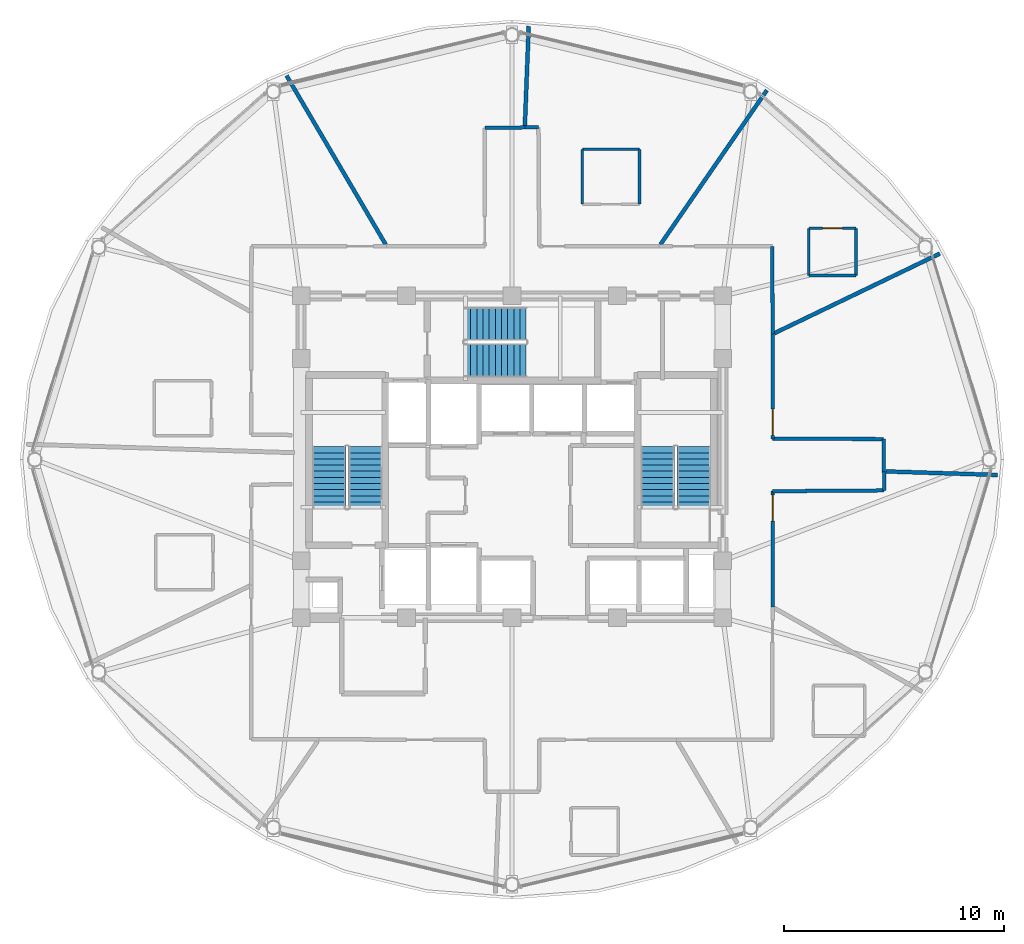
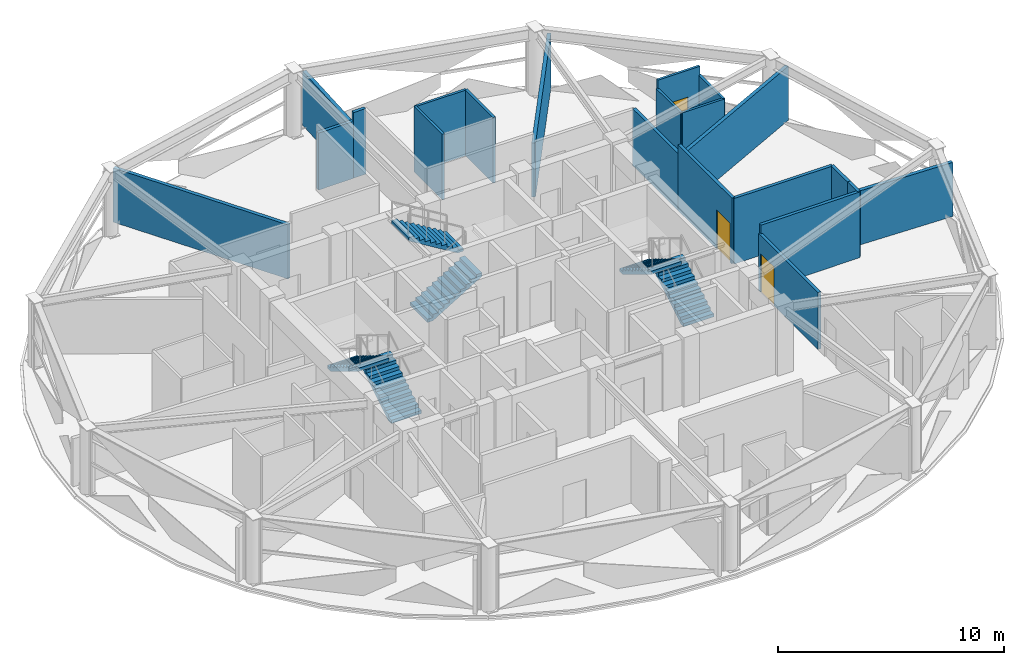
# One storey, part 24 of 28: 21 walls, 6 stair flights, 3 doors, 3 openings, 3 elements without a shape of their own.
"""IFC4 building model written with IfcOpenShell, lengths in metres."""

from ifc_helpers import new_model, si_unit, direction, frame, frame_2d, origin, place, context, subcontext, project, spatial, polyline, rectangle, outline, extrude, material, layer, layer_set, type_object, element, fill, aggregate, save


model = new_model("IFC4")

# Units and contexts
model_context = context("Model", 3, precision=1e-05, world=origin(), true_north=direction((0.0, 1.0)))
body_context = subcontext(model_context, "Body", "Model", "MODEL_VIEW")
ifc_project = project(units=[si_unit("LENGTHUNIT", "METRE"), si_unit("AREAUNIT", "SQUARE_METRE"), si_unit("VOLUMEUNIT", "CUBIC_METRE"), si_unit("PLANEANGLEUNIT", "RADIAN"), si_unit("MASSUNIT", "GRAM", prefix="KILO")], contexts=[model_context])

# Site, building, storey
site_placement = place(None, origin())
site = spatial("IfcSite", under=ifc_project, at=site_placement, CompositionType="ELEMENT")
building_placement = place(site_placement, origin())
building = spatial("IfcBuilding", under=site, at=building_placement, Name="Vantalir Tower", CompositionType="ELEMENT")
storey_placement = place(building_placement, frame((0.0, 0.0, 238.64990234375)))
storey = spatial("IfcBuildingStorey", under=building, at=storey_placement, Name="L60", CompositionType="ELEMENT", Elevation=238.64990234375)

# Wall
ifc_material_1 = material(Name="Moisture-resistant en-suite partition", Category="gypsum")
ifc_layer_1 = layer(ifc_material_1, 0.125)
ifc_layer_set_1 = layer_set([ifc_layer_1], Name="Moisture-resistant en-suite partition")
wall_type_1 = type_object("IfcWallType", Name="WL-BATH-125", PredefinedType="PARTITIONING", material=ifc_layer_set_1)
wall_1_placement = place(storey_placement, frame((45.010009765625, 33.376953125, 0.0), z_axis=(0.0, 0.0, 1.0), x_axis=(1.0, 0.0, 0.0)))
element("IfcWall", 1, at=wall_1_placement, inside=storey, type_object=wall_type_1, Name="L60 En-suite 01 South Wall", PredefinedType="PARTITIONING", context=body_context, shape_type="SweptSolid", body=[
    extrude(rectangle(XDim=2.14990234375, YDim=0.125, at=frame_2d((1.074951171875, 0.0))), origin(), (0.0, 0.0, 1.0), 3.0810546875),
])

# Wall, opening, door
wall_2_placement = place(storey_placement, frame((45.010009765625, 35.527099609375, 0.0), z_axis=(0.0, 0.0, 1.0), x_axis=(1.0, 0.0, 0.0)))
wall_2 = element("IfcWall", 2, at=wall_2_placement, inside=storey, type_object=wall_type_1, Name="L60 En-suite 01 North Wall", PredefinedType="PARTITIONING", context=body_context, shape_type="SweptSolid", body=[
    extrude(rectangle(XDim=2.14990234375, YDim=0.125, at=frame_2d((1.074951171875, 0.0))), origin(), (0.0, 0.0, 1.0), 3.550048828125),
])
opening_1_placement = place(wall_2_placement, frame((0.625, 0.0, 0.0)))
opening_1 = element("IfcOpeningElement", 3, at=opening_1_placement, cuts=wall_2, Name="Opening D-WC", PredefinedType="OPENING", context=body_context, shape_type="SweptSolid", body=[
    extrude(rectangle(XDim=0.89990234375, YDim=2.10009765625, at=frame_2d((0.449951171875, 1.050048828125))), frame((0.0, 0.072509765625, 0.0), z_axis=(0.0, -1.0, 0.0), x_axis=(1.0, 0.0, 0.0)), (0.0, 0.0, 1.0), 0.14501953125),
])
ifc_material_2 = material(Name="Moisture-resistant hardwood door", Category="wood")
door_type_1 = type_object("IfcDoorType", Name="DR-ENSUITE-900", OperationType="NOTDEFINED", PredefinedType="DOOR", material=ifc_material_2)
door_1_placement = place(opening_1_placement, frame((0.89990234375, 0.0, 0.0), z_axis=(0.0, 0.0, 1.0), x_axis=(-1.0, 0.0, 0.0)))
door_1 = element("IfcDoor", 4, at=door_1_placement, inside=storey, type_object=door_type_1, Name="L60 En-suite 01 Door", OperationType="SINGLE_SWING_RIGHT", OverallHeight=2.10009765625, OverallWidth=0.89990234375, PredefinedType="DOOR", context=body_context, shape_type="SweptSolid", body=[
    extrude(rectangle(XDim=0.89990234375, YDim=2.10009765625, at=frame_2d((0.449951171875, 1.050048828125))), frame((0.0, 0.02490234375, 0.0), z_axis=(0.0, -1.0, 0.0), x_axis=(1.0, 0.0, 0.0)), (0.0, 0.0, 1.0), 0.050048828125),
])
fill(opening_1, door_1)

# Walls
for number, where, z_axis, x_axis, name in (
    (5, (45.010009765625, 33.376953125, 0.0), (0.0, 0.0, 1.0), (0.0, 1.0, 0.0), "L60 En-suite 01 West Wall"),
    (6, (47.159912109375, 33.376953125, 0.0), (0.0, 0.0, 1.0), (0.0, 1.0, 0.0), "L60 En-suite 01 East Wall"),
):
    element("IfcWall", number, at=place(storey_placement, frame(where, z_axis=z_axis, x_axis=x_axis)), inside=storey, type_object=wall_type_1, Name=name, PredefinedType="PARTITIONING", context=body_context, shape_type="SweptSolid", body=[
        extrude(rectangle(XDim=2.150146484375, YDim=0.125, at=frame_2d((1.0751953125, 0.0))), origin(), (0.0, 0.0, 1.0), 3.0810546875),
    ])
wall_3_placement = place(storey_placement, frame((34.701904296875, 39.123046875, 0.0), z_axis=(0.0, 0.0, 1.0), x_axis=(1.0, 0.0, 0.0)))
element("IfcWall", 7, at=wall_3_placement, inside=storey, type_object=wall_type_1, Name="L60 En-suite 02 North Wall", PredefinedType="PARTITIONING", context=body_context, shape_type="SweptSolid", body=[
    extrude(rectangle(XDim=2.60009765625, YDim=0.125, at=frame_2d((1.300048828125, 0.0))), origin(), (0.0, 0.0, 1.0), 3.550048828125),
])
for number, where, z_axis, x_axis, name in (
    (8, (34.701904296875, 36.623046875, 0.0), (0.0, 0.0, 1.0), (0.0, 1.0, 0.0), "L60 En-suite 02 West Wall"),
    (9, (37.302001953125, 36.623046875, 0.0), (0.0, 0.0, 1.0), (0.0, 1.0, 0.0), "L60 En-suite 02 East Wall"),
):
    element("IfcWall", number, at=place(storey_placement, frame(where, z_axis=z_axis, x_axis=x_axis)), inside=storey, type_object=wall_type_1, Name=name, PredefinedType="PARTITIONING", context=body_context, shape_type="SweptSolid", body=[
        extrude(rectangle(XDim=2.5, YDim=0.125, at=frame_2d((1.25, 0.0))), origin(), (0.0, 0.0, 1.0), 3.550048828125),
    ])
ifc_material_3 = material(Name="Fire-rated hotel corridor acoustic partition", Category="gypsum")
ifc_layer_2 = layer(ifc_material_3, 0.159912109375)
ifc_layer_set_2 = layer_set([ifc_layer_2], Name="Fire-rated hotel corridor acoustic partition")
wall_type_2 = type_object("IfcWallType", Name="WL-CORR-160", PredefinedType="PARTITIONING", material=ifc_layer_set_2)
wall_4_placement = place(storey_placement, frame((30.262939453125, 40.097900390625, 0.0), z_axis=(0.0, 0.0, 1.0), x_axis=(0.999945269646, 0.010462204028, 0.0)))
element("IfcWall", 10, at=wall_4_placement, inside=storey, type_object=wall_type_2, Name="L60 Corridor Partition 07", PredefinedType="PARTITIONING", context=body_context, shape_type="SweptSolid", body=[
    extrude(rectangle(XDim=1.820068359375, YDim=0.159912109375, at=frame_2d((0.91015625, 0.0))), origin(), (0.0, 0.0, 1.0), 3.0810546875),
])
wall_5_placement = place(storey_placement, frame((32.0830078125, 40.116943359375, 0.0), z_axis=(0.0, 0.0, 1.0), x_axis=(0.9999517181, 0.009826569557, 0.0)))
element("IfcWall", 11, at=wall_5_placement, inside=storey, type_object=wall_type_2, Name="L60 Corridor Partition 08", PredefinedType="PARTITIONING", context=body_context, shape_type="SweptSolid", body=[
    extrude(rectangle(XDim=0.62109375, YDim=0.159912109375, at=frame_2d((0.310546875, 0.0))), origin(), (0.0, 0.0, 1.0), 3.550048828125),
])
wall_6_placement = place(storey_placement, frame((43.35302734375, 34.702880859375, 0.0), z_axis=(0.0, 0.0, 1.0), x_axis=(0.00146743957, -0.99999892331, 0.0)))
element("IfcWall", 12, at=wall_6_placement, inside=storey, type_object=wall_type_2, Name="L60 Corridor Partition 12", PredefinedType="PARTITIONING", context=body_context, shape_type="SweptSolid", body=[
    extrude(rectangle(XDim=3.992919921875, YDim=0.159912109375, at=frame_2d((1.99658203125, 0.0))), origin(), (0.0, 0.0, 1.0), 3.0810546875),
])

# Wall, opening, door
wall_7_placement = place(storey_placement, frame((43.35888671875, 30.7099609375, 0.0), z_axis=(0.0, 0.0, 1.0), x_axis=(0.001279556737, -0.999999181367, 0.0)))
wall_7 = element("IfcWall", 13, at=wall_7_placement, inside=storey, type_object=wall_type_2, Name="L60 Corridor Partition 13", PredefinedType="PARTITIONING", context=body_context, shape_type="SweptSolid", body=[
    extrude(rectangle(XDim=4.77001953125, YDim=0.159912109375, at=frame_2d((2.385009765625, 0.0))), origin(), (0.0, 0.0, 1.0), 3.550048828125),
])
opening_2_placement = place(wall_7_placement, frame((3.409912109375, 0.0, 0.0)))
opening_2 = element("IfcOpeningElement", 14, at=opening_2_placement, cuts=wall_7, Name="Opening D-STE", PredefinedType="OPENING", context=body_context, shape_type="SweptSolid", body=[
    extrude(rectangle(XDim=1.199951171875, YDim=2.10009765625, at=frame_2d((0.60009765625, 1.050048828125))), frame((0.0, 0.08984375, 0.0), z_axis=(0.0, -1.0, 0.0), x_axis=(1.0, 0.0, 0.0)), (0.0, 0.0, 1.0), 0.179931640625),
])
ifc_material_4 = material(Name="Solid-core teak veneer suite entrance door", Category="wood")
door_type_2 = type_object("IfcDoorType", Name="DR-SUITE-ENTRY-1200", OperationType="NOTDEFINED", PredefinedType="DOOR", material=ifc_material_4)
door_2_placement = place(opening_2_placement, origin())
door_2 = element("IfcDoor", 15, at=door_2_placement, inside=storey, type_object=door_type_2, Name="L60 Executive Sky Boardroom 12 Door", OperationType="SINGLE_SWING_RIGHT", OverallHeight=2.10009765625, OverallWidth=1.199951171875, PredefinedType="DOOR", context=body_context, shape_type="SweptSolid", body=[
    extrude(rectangle(XDim=1.199951171875, YDim=2.10009765625, at=frame_2d((0.60009765625, 1.050048828125))), frame((0.0, 0.02490234375, 0.0), z_axis=(0.0, -1.0, 0.0), x_axis=(1.0, 0.0, 0.0)), (0.0, 0.0, 1.0), 0.050048828125),
])
fill(opening_2, door_2)

# Walls
wall_8_placement = place(storey_placement, frame((43.364990234375, 25.93994140625, 0.0), z_axis=(0.0, 0.0, 1.0), x_axis=(0.999999831724, -0.000580130432, 0.0)))
element("IfcWall", 16, at=wall_8_placement, inside=storey, type_object=wall_type_2, Name="L60 Corridor Partition 14", PredefinedType="PARTITIONING", context=body_context, shape_type="SweptSolid", body=[
    extrude(rectangle(XDim=5.050048828125, YDim=0.159912109375, at=frame_2d((2.52490234375, 0.0))), origin(), (0.0, 0.0, 1.0), 3.550048828125),
])
wall_9_placement = place(storey_placement, frame((48.4150390625, 25.93701171875, 0.0), z_axis=(0.0, 0.0, 1.0), x_axis=(0.010773450639, -0.999941964697, 0.0)))
element("IfcWall", 17, at=wall_9_placement, inside=storey, type_object=wall_type_2, Name="L60 Corridor Partition 15", PredefinedType="PARTITIONING", context=body_context, shape_type="SweptSolid", body=[
    extrude(rectangle(XDim=1.472900390625, YDim=0.159912109375, at=frame_2d((0.736328125, 0.0))), origin(), (0.0, 0.0, 1.0), 3.550048828125),
])
wall_10_placement = place(storey_placement, frame((48.430908203125, 24.464111328125, 0.0), z_axis=(0.0, 0.0, 1.0), x_axis=(0.010404386192, -0.999945872909, 0.0)))
element("IfcWall", 18, at=wall_10_placement, inside=storey, type_object=wall_type_2, Name="L60 Corridor Partition 16", PredefinedType="PARTITIONING", context=body_context, shape_type="SweptSolid", body=[
    extrude(rectangle(XDim=0.8681640625, YDim=0.159912109375, at=frame_2d((0.43408203125, 0.0))), origin(), (0.0, 0.0, 1.0), 3.550048828125),
])
wall_11_placement = place(storey_placement, frame((48.43994140625, 23.595947265625, 0.0), z_axis=(0.0, 0.0, 1.0), x_axis=(-0.999974996273, -0.007071550702, 0.0)))
element("IfcWall", 19, at=wall_11_placement, inside=storey, type_object=wall_type_2, Name="L60 Corridor Partition 17", PredefinedType="PARTITIONING", context=body_context, shape_type="SweptSolid", body=[
    extrude(rectangle(XDim=5.0751953125, YDim=0.159912109375, at=frame_2d((2.53759765625, 0.0))), origin(), (0.0, 0.0, 1.0), 3.550048828125),
])

# Wall, opening, door
wall_12_placement = place(storey_placement, frame((43.364990234375, 23.56005859375, 0.0), z_axis=(0.0, 0.0, 1.0), x_axis=(-0.001343462143, -0.999999097554, 0.0)))
wall_12 = element("IfcWall", 20, at=wall_12_placement, inside=storey, type_object=wall_type_2, Name="L60 Corridor Partition 18", PredefinedType="PARTITIONING", context=body_context, shape_type="SweptSolid", body=[
    extrude(rectangle(XDim=5.27001953125, YDim=0.159912109375, at=frame_2d((2.635009765625, 0.0))), origin(), (0.0, 0.0, 1.0), 3.0810546875),
])
opening_3_placement = place(wall_12_placement, frame((0.159912109375, 0.0, 0.0)))
opening_3 = element("IfcOpeningElement", 21, at=opening_3_placement, cuts=wall_12, Name="Opening D-STE", PredefinedType="OPENING", context=body_context, shape_type="SweptSolid", body=[
    extrude(rectangle(XDim=1.199951171875, YDim=2.10009765625, at=frame_2d((0.60009765625, 1.050048828125))), frame((0.0, 0.08984375, 0.0), z_axis=(0.0, -1.0, 0.0), x_axis=(1.0, 0.0, 0.0)), (0.0, 0.0, 1.0), 0.179931640625),
])
door_3_placement = place(opening_3_placement, origin())
door_3 = element("IfcDoor", 22, at=door_3_placement, inside=storey, type_object=door_type_2, Name="L60 Club Reading Lounge 11 Door", OperationType="SINGLE_SWING_LEFT", OverallHeight=2.10009765625, OverallWidth=1.199951171875, PredefinedType="DOOR", context=body_context, shape_type="SweptSolid", body=[
    extrude(rectangle(XDim=1.199951171875, YDim=2.10009765625, at=frame_2d((0.60009765625, 1.050048828125))), frame((0.0, 0.02490234375, 0.0), z_axis=(0.0, -1.0, 0.0), x_axis=(1.0, 0.0, 0.0)), (0.0, 0.0, 1.0), 0.050048828125),
])
fill(opening_3, door_3)

# Walls
ifc_material_5 = material(Name="Twin-stud acoustic fire-rated gypsum partition", Category="gypsum")
ifc_layer_3 = layer(ifc_material_5, 0.179931640625)
ifc_layer_set_3 = layer_set([ifc_layer_3], Name="Twin-stud acoustic fire-rated gypsum partition")
wall_type_3 = type_object("IfcWallType", Name="WL-GUEST-180", PredefinedType="PARTITIONING", material=ifc_layer_set_3)
wall_13_placement = place(storey_placement, frame((43.43994140625, 30.75, 0.0), z_axis=(0.0, 0.0, 1.0), x_axis=(0.901030010269, 0.433756752795, 0.0)))
element("IfcWall", 23, at=wall_13_placement, inside=storey, type_object=wall_type_3, Name="L60 Radial Suite Partition 01", PredefinedType="PARTITIONING", context=body_context, shape_type="SweptSolid", body=[
    extrude(rectangle(XDim=8.35498046875, YDim=0.179931640625, at=frame_2d((4.177490234375, 0.0))), origin(), (0.0, 0.0, 1.0), 2.925048828125),
])
wall_14_placement = place(storey_placement, frame((38.2548828125, 34.7900390625, 0.0), z_axis=(0.0, 0.0, 1.0), x_axis=(0.567959020811, 0.823056833202, 0.0)))
element("IfcWall", 24, at=wall_14_placement, inside=storey, type_object=wall_type_3, Name="L60 Radial Suite Partition 02", PredefinedType="PARTITIONING", context=body_context, shape_type="SweptSolid", body=[
    extrude(rectangle(XDim=8.529296875, YDim=0.179931640625, at=frame_2d((4.2646484375, 0.0))), origin(), (0.0, 0.0, 1.0), 2.925048828125),
])
wall_15_placement = place(storey_placement, frame((32.0859375, 40.197998046875, 0.0), z_axis=(0.0, 0.0, 1.0), x_axis=(0.038656743146, 0.999252548763, 0.0)))
element("IfcWall", 25, at=wall_15_placement, inside=storey, type_object=wall_type_3, Name="L60 Radial Suite Partition 03", PredefinedType="PARTITIONING", context=body_context, shape_type="SweptSolid", body=[
    extrude(rectangle(XDim=4.5283203125, YDim=0.179931640625, at=frame_2d((2.26416015625, 0.0))), origin(), (0.0, 0.0, 1.0), 2.925048828125),
])
wall_16_placement = place(storey_placement, frame((25.751953125, 34.7900390625, 0.0), z_axis=(0.0, 0.0, 1.0), x_axis=(-0.50634586345, 0.8623304857, 0.0)))
element("IfcWall", 26, at=wall_16_placement, inside=storey, type_object=wall_type_3, Name="L60 Radial Suite Partition 04", PredefinedType="PARTITIONING", context=body_context, shape_type="SweptSolid", body=[
    extrude(rectangle(XDim=8.910888671875, YDim=0.179931640625, at=frame_2d((4.45556640625, 0.0))), origin(), (0.0, 0.0, 1.0), 2.925048828125),
])
wall_17_placement = place(storey_placement, frame((48.514892578125, 24.4619140625, 0.0), z_axis=(0.0, 0.0, 1.0), x_axis=(0.99949968354, -0.03162882552, 0.0)))
element("IfcWall", 27, at=wall_17_placement, inside=storey, type_object=wall_type_3, Name="L60 Radial Suite Partition 12", PredefinedType="PARTITIONING", context=body_context, shape_type="SweptSolid", body=[
    extrude(rectangle(XDim=5.086669921875, YDim=0.179931640625, at=frame_2d((2.54345703125, 0.0))), origin(), (0.0, 0.0, 1.0), 2.925048828125),
])

# Stair, stair flights
ifc_material_6 = material(Name="Concrete C40/50", Category="concrete")
stair_type = type_object("IfcStairType", Name="STR-CORE-1450", PredefinedType="HALF_TURN_STAIR", material=ifc_material_6)
stair_1_placement = place(storey_placement, origin())
stair_1 = element("IfcStair", 28, at=stair_1_placement, inside=storey, type_object=stair_type, Name="L60 Core Exit Stair 1", PredefinedType="HALF_TURN_STAIR")
stair_flight_type = type_object("IfcStairFlightType", Name="FLT-CORE-1450", PredefinedType="STRAIGHT", material=ifc_material_6)
stair_flight_1_placement = place(storey_placement, frame((24.830078125, 22.7900390625, 0.0), z_axis=(0.0, 0.0, 1.0), x_axis=(0.0, 1.0, 0.0)))
stair_flight_1 = element("IfcStairFlight", 29, at=stair_flight_1_placement, type_object=stair_flight_type, Name="ST1 flight 1", NumberOfRisers=11, NumberOfTreads=10, PredefinedType="STRAIGHT", RiserHeight=0.170454545, TreadLength=0.28, context=body_context, shape_type="SweptSolid", body=[
    extrude(outline(polyline([(0.0, 0.0), (0.0, 0.17041015625), (0.280029296875, 0.17041015625), (0.280029296875, 0.3408203125), (0.56005859375, 0.3408203125), (0.56005859375, 0.511474609375), (0.840087890625, 0.511474609375), (0.840087890625, 0.681884765625), (1.1201171875, 0.681884765625), (1.1201171875, 0.852294921875), (1.39990234375, 0.852294921875), (1.39990234375, 1.022705078125), (1.679931640625, 1.022705078125), (1.679931640625, 1.193115234375), (1.9599609375, 1.193115234375), (1.9599609375, 1.363525390625), (2.239990234375, 1.363525390625), (2.239990234375, 1.5341796875), (2.52001953125, 1.5341796875), (2.52001953125, 1.70458984375), (2.800048828125, 1.70458984375), (2.800048828125, 1.875), (2.800048828125, 1.529052734375), (0.288330078125, 0.0), (0.0, 0.0)])), frame((0.0, 0.77001953125, 0.0), z_axis=(0.0, -1.0, 0.0), x_axis=(1.0, 0.0, 0.0)), (0.0, 0.0, 1.0), 1.5400390625),
])
stair_flight_2_placement = place(storey_placement, frame((23.169921875, 25.590087890625, 1.875), z_axis=(0.0, 0.0, 1.0), x_axis=(0.0, -1.0, 0.0)))
stair_flight_2 = element("IfcStairFlight", 30, at=stair_flight_2_placement, type_object=stair_flight_type, Name="ST1 flight 2", NumberOfRisers=11, NumberOfTreads=10, PredefinedType="STRAIGHT", RiserHeight=0.170454545, TreadLength=0.28, context=body_context, shape_type="SweptSolid", body=[
    extrude(outline(polyline([(0.0, 0.0), (0.0, 0.17041015625), (0.280029296875, 0.17041015625), (0.280029296875, 0.3408203125), (0.56005859375, 0.3408203125), (0.56005859375, 0.511474609375), (0.840087890625, 0.511474609375), (0.840087890625, 0.681884765625), (1.1201171875, 0.681884765625), (1.1201171875, 0.852294921875), (1.39990234375, 0.852294921875), (1.39990234375, 1.022705078125), (1.679931640625, 1.022705078125), (1.679931640625, 1.193115234375), (1.9599609375, 1.193115234375), (1.9599609375, 1.363525390625), (2.239990234375, 1.363525390625), (2.239990234375, 1.5341796875), (2.52001953125, 1.5341796875), (2.52001953125, 1.70458984375), (2.800048828125, 1.70458984375), (2.800048828125, 1.875), (2.800048828125, 1.529052734375), (0.288330078125, 0.0), (0.0, 0.0)])), frame((0.0, 0.77001953125, 0.0), z_axis=(0.0, -1.0, 0.0), x_axis=(1.0, 0.0, 0.0)), (0.0, 0.0, 1.0), 1.5400390625),
])
aggregate(stair_1, [stair_flight_1, stair_flight_2])

stair_2_placement = place(storey_placement, origin())
stair_2 = element("IfcStair", 31, at=stair_2_placement, inside=storey, type_object=stair_type, Name="L60 Core Exit Stair 2", PredefinedType="HALF_TURN_STAIR")
stair_flight_3_placement = place(storey_placement, frame((39.780029296875, 22.7900390625, 0.0), z_axis=(0.0, 0.0, 1.0), x_axis=(0.0, 1.0, 0.0)))
stair_flight_3 = element("IfcStairFlight", 32, at=stair_flight_3_placement, type_object=stair_flight_type, Name="ST2 flight 1", NumberOfRisers=11, NumberOfTreads=10, PredefinedType="STRAIGHT", RiserHeight=0.170454545, TreadLength=0.28, context=body_context, shape_type="SweptSolid", body=[
    extrude(outline(polyline([(0.0, 0.0), (0.0, 0.17041015625), (0.280029296875, 0.17041015625), (0.280029296875, 0.3408203125), (0.56005859375, 0.3408203125), (0.56005859375, 0.511474609375), (0.840087890625, 0.511474609375), (0.840087890625, 0.681884765625), (1.1201171875, 0.681884765625), (1.1201171875, 0.852294921875), (1.39990234375, 0.852294921875), (1.39990234375, 1.022705078125), (1.679931640625, 1.022705078125), (1.679931640625, 1.193115234375), (1.9599609375, 1.193115234375), (1.9599609375, 1.363525390625), (2.239990234375, 1.363525390625), (2.239990234375, 1.5341796875), (2.52001953125, 1.5341796875), (2.52001953125, 1.70458984375), (2.800048828125, 1.70458984375), (2.800048828125, 1.875), (2.800048828125, 1.529052734375), (0.288330078125, 0.0), (0.0, 0.0)])), frame((0.0, 0.77001953125, 0.0), z_axis=(0.0, -1.0, 0.0), x_axis=(1.0, 0.0, 0.0)), (0.0, 0.0, 1.0), 1.5400390625),
])
stair_flight_4_placement = place(storey_placement, frame((38.1201171875, 25.590087890625, 1.875), z_axis=(0.0, 0.0, 1.0), x_axis=(0.0, -1.0, 0.0)))
stair_flight_4 = element("IfcStairFlight", 33, at=stair_flight_4_placement, type_object=stair_flight_type, Name="ST2 flight 2", NumberOfRisers=11, NumberOfTreads=10, PredefinedType="STRAIGHT", RiserHeight=0.170454545, TreadLength=0.28, context=body_context, shape_type="SweptSolid", body=[
    extrude(outline(polyline([(0.0, 0.0), (0.0, 0.17041015625), (0.280029296875, 0.17041015625), (0.280029296875, 0.3408203125), (0.56005859375, 0.3408203125), (0.56005859375, 0.511474609375), (0.840087890625, 0.511474609375), (0.840087890625, 0.681884765625), (1.1201171875, 0.681884765625), (1.1201171875, 0.852294921875), (1.39990234375, 0.852294921875), (1.39990234375, 1.022705078125), (1.679931640625, 1.022705078125), (1.679931640625, 1.193115234375), (1.9599609375, 1.193115234375), (1.9599609375, 1.363525390625), (2.239990234375, 1.363525390625), (2.239990234375, 1.5341796875), (2.52001953125, 1.5341796875), (2.52001953125, 1.70458984375), (2.800048828125, 1.70458984375), (2.800048828125, 1.875), (2.800048828125, 1.529052734375), (0.288330078125, 0.0), (0.0, 0.0)])), frame((0.0, 0.77001953125, 0.0), z_axis=(0.0, -1.0, 0.0), x_axis=(1.0, 0.0, 0.0)), (0.0, 0.0, 1.0), 1.5400390625),
])
aggregate(stair_2, [stair_flight_3, stair_flight_4])

stair_3_placement = place(storey_placement, origin())
stair_3 = element("IfcStair", 34, at=stair_3_placement, inside=storey, type_object=stair_type, Name="L60 Core Exit Stair 3", PredefinedType="HALF_TURN_STAIR")
stair_flight_5_placement = place(storey_placement, frame((29.340087890625, 29.52001953125, 0.0), z_axis=(0.0, 0.0, 1.0), x_axis=(1.0, 0.0, 0.0)))
stair_flight_5 = element("IfcStairFlight", 35, at=stair_flight_5_placement, type_object=stair_flight_type, Name="ST3 flight 1", NumberOfRisers=11, NumberOfTreads=10, PredefinedType="STRAIGHT", RiserHeight=0.170454545, TreadLength=0.28, context=body_context, shape_type="SweptSolid", body=[
    extrude(outline(polyline([(0.0, 0.0), (0.0, 0.17041015625), (0.280029296875, 0.17041015625), (0.280029296875, 0.3408203125), (0.56005859375, 0.3408203125), (0.56005859375, 0.511474609375), (0.840087890625, 0.511474609375), (0.840087890625, 0.681884765625), (1.1201171875, 0.681884765625), (1.1201171875, 0.852294921875), (1.39990234375, 0.852294921875), (1.39990234375, 1.022705078125), (1.679931640625, 1.022705078125), (1.679931640625, 1.193115234375), (1.9599609375, 1.193115234375), (1.9599609375, 1.363525390625), (2.239990234375, 1.363525390625), (2.239990234375, 1.5341796875), (2.52001953125, 1.5341796875), (2.52001953125, 1.70458984375), (2.800048828125, 1.70458984375), (2.800048828125, 1.875), (2.800048828125, 1.529052734375), (0.288330078125, 0.0), (0.0, 0.0)])), frame((0.0, 0.77001953125, 0.0), z_axis=(0.0, -1.0, 0.0), x_axis=(1.0, 0.0, 0.0)), (0.0, 0.0, 1.0), 1.5400390625),
])
stair_flight_6_placement = place(storey_placement, frame((32.139892578125, 31.179931640625, 1.875), z_axis=(0.0, 0.0, 1.0), x_axis=(-1.0, 0.0, 0.0)))
stair_flight_6 = element("IfcStairFlight", 36, at=stair_flight_6_placement, type_object=stair_flight_type, Name="ST3 flight 2", NumberOfRisers=11, NumberOfTreads=10, PredefinedType="STRAIGHT", RiserHeight=0.170454545, TreadLength=0.28, context=body_context, shape_type="SweptSolid", body=[
    extrude(outline(polyline([(0.0, 0.0), (0.0, 0.17041015625), (0.280029296875, 0.17041015625), (0.280029296875, 0.3408203125), (0.56005859375, 0.3408203125), (0.56005859375, 0.511474609375), (0.840087890625, 0.511474609375), (0.840087890625, 0.681884765625), (1.1201171875, 0.681884765625), (1.1201171875, 0.852294921875), (1.39990234375, 0.852294921875), (1.39990234375, 1.022705078125), (1.679931640625, 1.022705078125), (1.679931640625, 1.193115234375), (1.9599609375, 1.193115234375), (1.9599609375, 1.363525390625), (2.239990234375, 1.363525390625), (2.239990234375, 1.5341796875), (2.52001953125, 1.5341796875), (2.52001953125, 1.70458984375), (2.800048828125, 1.70458984375), (2.800048828125, 1.875), (2.800048828125, 1.529052734375), (0.288330078125, 0.0), (0.0, 0.0)])), frame((0.0, 0.77001953125, 0.0), z_axis=(0.0, -1.0, 0.0), x_axis=(1.0, 0.0, 0.0)), (0.0, 0.0, 1.0), 1.5400390625),
])
aggregate(stair_3, [stair_flight_5, stair_flight_6])

save(model, "model.ifc")
